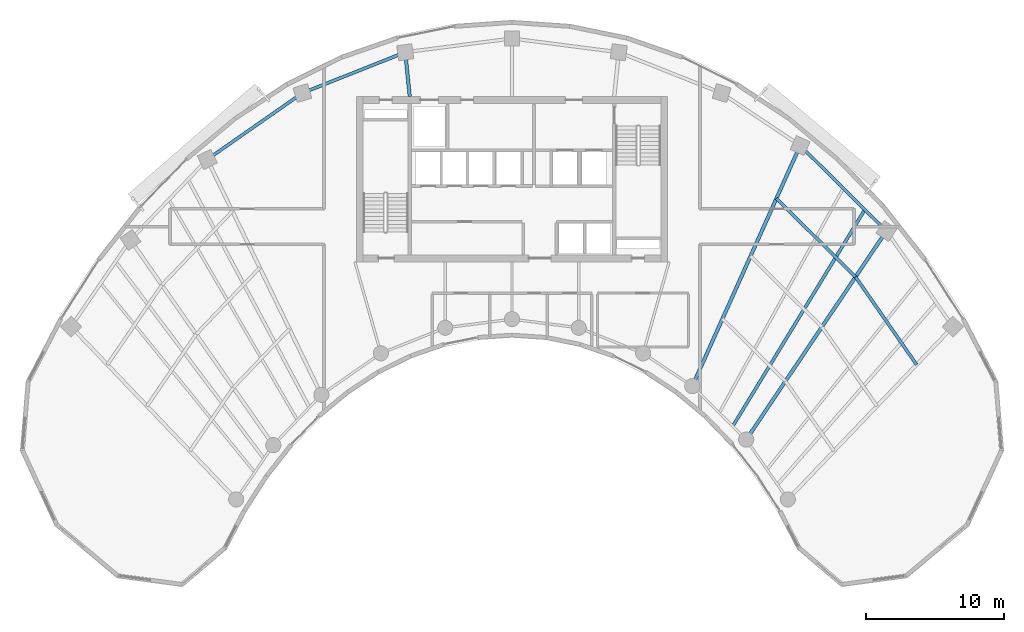
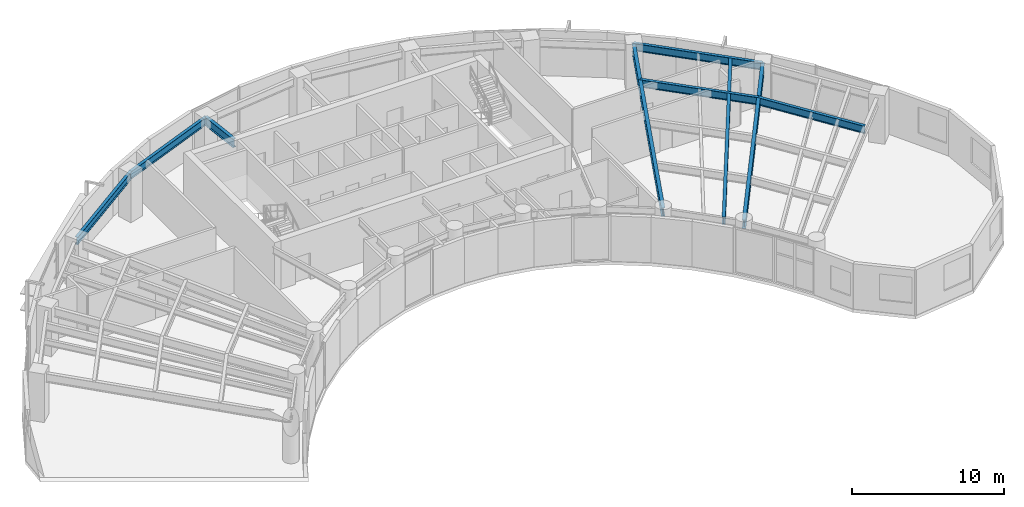
# One storey, part 4 of 13: 9 beams.
"""IFC4 building model written with IfcOpenShell, lengths in metres."""

from ifc_helpers import new_model, si_unit, direction, frame, origin, origin_2d, place, context, subcontext, project, spatial, i_section, extrude, source, transform, mapped, material, material_profile, profile_set, type_object, element, save


model = new_model("IFC4")

# Units and contexts
model_context = context("Model", 3, precision=1e-05, world=origin(), true_north=direction((0.0, 1.0)))
body_context = subcontext(model_context, "Body", "Model", "MODEL_VIEW")
ifc_project = project(units=[si_unit("LENGTHUNIT", "METRE"), si_unit("AREAUNIT", "SQUARE_METRE"), si_unit("VOLUMEUNIT", "CUBIC_METRE"), si_unit("PLANEANGLEUNIT", "RADIAN"), si_unit("MASSUNIT", "GRAM", prefix="KILO")], contexts=[model_context])

# Site, building, storey
site_placement = place(None, origin())
site = spatial("IfcSite", under=ifc_project, at=site_placement, CompositionType="ELEMENT")
building_placement = place(site_placement, origin())
building = spatial("IfcBuilding", under=site, at=building_placement, Name="Breltana Convention Tower", CompositionType="ELEMENT")
storey_placement = place(building_placement, frame((0.0, 0.0, 162.300048828125)))
storey = spatial("IfcBuildingStorey", under=building, at=storey_placement, Name="L39", CompositionType="ELEMENT", Elevation=162.300048828125)

# Beams
ifc_material = material(Name="Steel ASTM A992 Grade 50", Category="steel")
ifc_material_profile_1 = material_profile(ifc_material, i_section(OverallWidth=0.25390625, OverallDepth=0.68798828125, WebThickness=0.01318359375, FlangeThickness=0.02099609375, at=origin_2d()), Name="W27X102")
ifc_profile_set_1 = profile_set([ifc_material_profile_1], Name="Steel ASTM A992 Grade 50")
beam_type_1 = type_object("IfcBeamType", Name="BM-RG-W27X102", PredefinedType="USERDEFINED", material=ifc_profile_set_1)
shared_shape_1 = source(origin(), body_context, "Body", "SweptSolid", [
    extrude(i_section(OverallWidth=0.25390625, OverallDepth=0.68798828125, WebThickness=0.01318359375, FlangeThickness=0.02099609375, at=origin_2d()), origin(), (0.0, 0.0, 1.0), 3.220947265625),
])
beam_1_placement = place(storey_placement, frame((40.580078125, 72.199951171875, 3.305908203125), z_axis=(-0.101492254858, 0.994836329355, 0.0), x_axis=(-0.994836329355, -0.101492254858, 0.0)))
element("IfcBeam", 1, at=beam_1_placement, inside=storey, type_object=beam_type_1, Name="L39 North Core Radial Girder R05", ObjectType="GIRDER", PredefinedType="USERDEFINED", context=body_context, shape_type="MappedRepresentation", body=[
    mapped(shared_shape_1, transform((0.0, 0.0, 0.0), scale=1.0)),
])
shared_shape_2 = source(origin(), body_context, "Body", "SweptSolid", [
    extrude(i_section(OverallWidth=0.25390625, OverallDepth=0.68798828125, WebThickness=0.01318359375, FlangeThickness=0.02099609375, at=origin_2d()), origin(), (0.0, 0.0, 1.0), 19.133544921875),
])
beam_2_placement = place(storey_placement, frame((61.08203125, 51.174560546875, 3.305908203125), z_axis=(0.409144564164, 0.912469575172, 0.0), x_axis=(-0.912469575172, 0.409144564164, 0.0)))
element("IfcBeam", 2, at=beam_2_placement, inside=storey, type_object=beam_type_1, Name="L39 Radial Floor Girder R09", ObjectType="GIRDER", PredefinedType="USERDEFINED", context=body_context, shape_type="MappedRepresentation", body=[
    mapped(shared_shape_2, transform((0.0, 0.0, 0.0), scale=1.0)),
])
shared_shape_3 = source(origin(), body_context, "Body", "SweptSolid", [
    extrude(i_section(OverallWidth=0.25390625, OverallDepth=0.68798828125, WebThickness=0.01318359375, FlangeThickness=0.02099609375, at=origin_2d()), origin(), (0.0, 0.0, 1.0), 18.236328125),
])
beam_3_placement = place(storey_placement, frame((64.995849609375, 47.293701171875, 3.305908203125), z_axis=(0.557730360975, 0.830022195153, 0.0), x_axis=(-0.830022195153, 0.557730360975, 0.0)))
element("IfcBeam", 3, at=beam_3_placement, inside=storey, type_object=beam_type_1, Name="L39 Radial Floor Girder R10", ObjectType="GIRDER", PredefinedType="USERDEFINED", context=body_context, shape_type="MappedRepresentation", body=[
    mapped(shared_shape_3, transform((0.0, 0.0, 0.0), scale=1.0)),
])
ifc_material_profile_2 = material_profile(ifc_material, i_section(OverallWidth=0.22802734375, OverallDepth=0.60791015625, WebThickness=0.01123046875, FlangeThickness=0.017333984375, at=origin_2d()), Name="W24X76")
ifc_profile_set_2 = profile_set([ifc_material_profile_2], Name="Steel ASTM A992 Grade 50")
beam_type_2 = type_object("IfcBeamType", Name="BM-SP-W24X76", PredefinedType="SPANDREL", material=ifc_profile_set_2)
shared_shape_4 = source(origin(), body_context, "Body", "SweptSolid", [
    extrude(i_section(OverallWidth=0.22802734375, OverallDepth=0.60791015625, WebThickness=0.01123046875, FlangeThickness=0.017333984375, at=origin_2d()), origin(), (0.0, 0.0, 1.0), 8.4169921875),
])
beam_4_placement = place(storey_placement, frame((25.8876953125, 67.626953125, 3.345947265625), z_axis=(0.820173800102, 0.572114444519, 0.0), x_axis=(-0.572114444519, 0.820173800102, 0.0)))
element("IfcBeam", 4, at=beam_4_placement, inside=storey, type_object=beam_type_2, Name="L39 Outer Spandrel Beam 03", PredefinedType="SPANDREL", context=body_context, shape_type="MappedRepresentation", body=[
    mapped(shared_shape_4, transform((0.0, 0.0, 0.0), scale=1.0)),
])
shared_shape_5 = source(origin(), body_context, "Body", "SweptSolid", [
    extrude(i_section(OverallWidth=0.22802734375, OverallDepth=0.60791015625, WebThickness=0.01123046875, FlangeThickness=0.017333984375, at=origin_2d()), origin(), (0.0, 0.0, 1.0), 8.028564453125),
])
beam_5_placement = place(storey_placement, frame((32.791015625, 72.4423828125, 3.345947265625), z_axis=(0.929459100394, 0.368925169507, 0.0), x_axis=(-0.368925169507, 0.929459100394, 0.0)))
element("IfcBeam", 5, at=beam_5_placement, inside=storey, type_object=beam_type_2, Name="L39 Outer Spandrel Beam 04", PredefinedType="SPANDREL", context=body_context, shape_type="MappedRepresentation", body=[
    mapped(shared_shape_5, transform((0.0, 0.0, 0.0), scale=1.0)),
])
shared_shape_6 = source(origin(), body_context, "Body", "SweptSolid", [
    extrude(i_section(OverallWidth=0.22802734375, OverallDepth=0.60791015625, WebThickness=0.01123046875, FlangeThickness=0.017333984375, at=origin_2d()), origin(), (0.0, 0.0, 1.0), 8.810302734375),
])
beam_6_placement = place(storey_placement, frame((68.910400390625, 68.63330078125, 3.345947265625), z_axis=(0.710120823582, -0.704079836322, 0.0), x_axis=(0.704079836322, 0.710120823582, 0.0)))
element("IfcBeam", 6, at=beam_6_placement, inside=storey, type_object=beam_type_2, Name="L39 Outer Spandrel Beam 09", PredefinedType="SPANDREL", context=body_context, shape_type="MappedRepresentation", body=[
    mapped(shared_shape_6, transform((0.0, 0.0, 0.0), scale=1.0)),
])
ifc_material_profile_3 = material_profile(ifc_material, i_section(OverallWidth=0.22802734375, OverallDepth=0.60791015625, WebThickness=0.01123046875, FlangeThickness=0.017333984375, at=origin_2d()), Name="W24X76")
ifc_profile_set_3 = profile_set([ifc_material_profile_3], Name="Steel ASTM A992 Grade 50")
beam_type_3 = type_object("IfcBeamType", Name="BM-JSG-02", PredefinedType="JOIST", material=ifc_profile_set_3)
shared_shape_7 = source(origin(), body_context, "Body", "SweptSolid", [
    extrude(i_section(OverallWidth=0.22802734375, OverallDepth=0.60791015625, WebThickness=0.01123046875, FlangeThickness=0.017333984375, at=origin_2d()), origin(), (0.0, 0.0, 1.0), 8.084716796875),
])
beam_7_placement = place(storey_placement, frame((67.188232421875, 64.79248046875, 3.345947265625), z_axis=(0.710105094548, -0.704095699956, 0.0), x_axis=(0.704095699956, 0.710105094548, 0.0)))
element("IfcBeam", 7, at=beam_7_placement, inside=storey, type_object=beam_type_3, Name="L39 Composite Floor Joist 09.3", PredefinedType="JOIST", context=body_context, shape_type="MappedRepresentation", body=[
    mapped(shared_shape_7, transform((0.0, 0.0, 0.0), scale=1.0)),
])
shared_shape_8 = source(origin(), body_context, "Body", "SweptSolid", [
    extrude(i_section(OverallWidth=0.22802734375, OverallDepth=0.60791015625, WebThickness=0.01123046875, FlangeThickness=0.017333984375, at=origin_2d()), origin(), (0.0, 0.0, 1.0), 18.409423828125),
])
beam_8_placement = place(storey_placement, frame((64.017333984375, 48.263916015625, 3.345947265625), z_axis=(0.520682167606, 0.853750596098, 0.0), x_axis=(-0.853750596098, 0.520682167606, 0.0)))
element("IfcBeam", 8, at=beam_8_placement, inside=storey, type_object=beam_type_3, Name="L39 Quarter-Bay Radial Trimmer 09", PredefinedType="JOIST", context=body_context, shape_type="MappedRepresentation", body=[
    mapped(shared_shape_8, transform((0.0, 0.0, 0.0), scale=1.0)),
])
shared_shape_9 = source(origin(), body_context, "Body", "SweptSolid", [
    extrude(i_section(OverallWidth=0.22802734375, OverallDepth=0.60791015625, WebThickness=0.01123046875, FlangeThickness=0.017333984375, at=origin_2d()), origin(), (0.0, 0.0, 1.0), 7.75390625),
])
beam_9_placement = place(storey_placement, frame((72.92919921875, 59.10009765625, 3.345947265625), z_axis=(0.57119271264, -0.820815987312, 0.0), x_axis=(0.820815987312, 0.57119271264, 0.0)))
element("IfcBeam", 9, at=beam_9_placement, inside=storey, type_object=beam_type_3, Name="L39 Composite Floor Joist 10.3", PredefinedType="JOIST", context=body_context, shape_type="MappedRepresentation", body=[
    mapped(shared_shape_9, transform((0.0, 0.0, 0.0), scale=1.0)),
])

save(model, "model.ifc")
